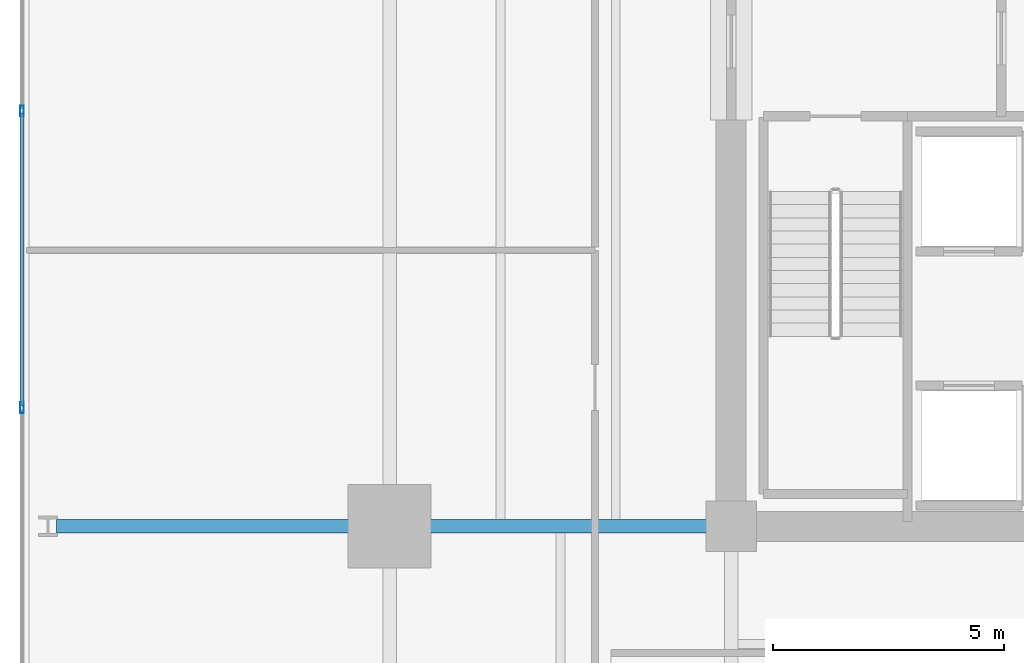
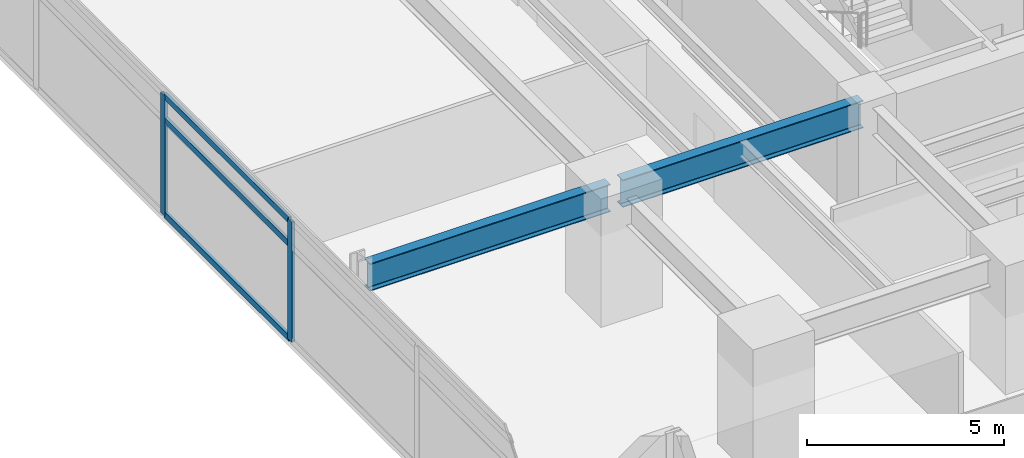
# One storey, part 4 of 23: 5 members, 2 beams, 1 element without a shape of its own.
"""IFC4 building model written with IfcOpenShell, lengths in metres."""

from ifc_helpers import new_model, si_unit, direction, frame, origin, origin_2d, place, context, subcontext, project, spatial, hollow_rectangle, i_section, extrude, material, material_profile, profile_set, type_object, element, aggregate, save


model = new_model("IFC4")

# Units and contexts
model_context = context("Model", 3, precision=1e-05, world=origin(), true_north=direction((0.0, 1.0)))
body_context = subcontext(model_context, "Body", "Model", "MODEL_VIEW")
ifc_project = project(units=[si_unit("LENGTHUNIT", "METRE"), si_unit("AREAUNIT", "SQUARE_METRE"), si_unit("VOLUMEUNIT", "CUBIC_METRE"), si_unit("PLANEANGLEUNIT", "RADIAN"), si_unit("MASSUNIT", "GRAM", prefix="KILO")], contexts=[model_context])

# Site, building, storey
site_placement = place(None, origin())
site = spatial("IfcSite", under=ifc_project, at=site_placement, CompositionType="ELEMENT")
building_placement = place(site_placement, origin())
building = spatial("IfcBuilding", under=site, at=building_placement, Name="Kovane Verandah Tower", CompositionType="ELEMENT")
storey_placement = place(building_placement, frame((0.0, 0.0, 91.60009765625)))
storey = spatial("IfcBuildingStorey", under=building, at=storey_placement, Name="L21", CompositionType="ELEMENT", Elevation=91.60009765625)

# Beams
ifc_material_1 = material(Name="Steel S355", Category="steel")
ifc_material_profile_1 = material_profile(ifc_material_1, i_section(OverallWidth=0.293701171875, OverallDepth=0.850830078125, WebThickness=0.01611328125, FlangeThickness=0.02685546875, FilletRadius=0.017822265625, at=origin_2d()), Name="UB838x292x226")
ifc_profile_set_1 = profile_set([ifc_material_profile_1], Name="Steel S355")
beam_type = type_object("IfcBeamType", Name="BM-UB838x226", PredefinedType="BEAM", material=ifc_profile_set_1)
for number, where, z_axis, x_axis, name in (
    (1, (28.820068359375, 18.5, 3.33447265625), (-1.0, 0.0, 0.0), (0.0, -1.0, 0.0), "L21 Primary Tower Girder G-W1"),
    (2, (21.419921875, 18.5, 3.33447265625), (-1.0, 0.0, 0.0), (0.0, -1.0, 0.0), "L21 Primary Tower Girder G-VW1"),
):
    element("IfcBeam", number, at=place(storey_placement, frame(where, z_axis=z_axis, x_axis=x_axis)), inside=storey, type_object=beam_type, Name=name, PredefinedType="BEAM", context=body_context, shape_type="SweptSolid", body=[
        extrude(i_section(OverallWidth=0.293701171875, OverallDepth=0.850830078125, WebThickness=0.01611328125, FlangeThickness=0.02685546875, FilletRadius=0.017822265625, at=origin_2d()), origin(), (0.0, 0.0, 1.0), 7.0400390625),
    ])

# Curtain wall, members
ifc_material_2 = material(Name="Champagne Anodised Aluminium Frame with Low-E Clear Laminated Glass", Category="aluminium")
curtain_wall_type = type_object("IfcCurtainWallType", Name="CW-SYS-02-LOW", PredefinedType="NOTDEFINED", material=ifc_material_2)
curtain_wall_placement = place(storey_placement, origin())
curtain_wall = element("IfcCurtainWall", 3, at=curtain_wall_placement, inside=storey, type_object=curtain_wall_type, Name="L21 W Unitised Curtain Wall", PredefinedType="NOTDEFINED")
ifc_material_3 = material(Name="Champagne Anodised Aluminium 6063-T6", Category="aluminium")
ifc_material_profile_2 = material_profile(ifc_material_3, hollow_rectangle(XDim=0.0849609375, YDim=0.22998046875, WallThickness=0.00390625, at=origin_2d()), Name="AL85x230x4")
ifc_profile_set_2 = profile_set([ifc_material_profile_2], Name="Champagne Anodised Aluminium 6063-T6")
member_type_1 = type_object("IfcMemberType", Name="CW-MUL-85x230", PredefinedType="MULLION", material=ifc_profile_set_2)
member_1_placement = place(storey_placement, frame((13.635986328125, 27.5, 0.02001953125), z_axis=(0.0, 0.0, 1.0), x_axis=(-1.0, 0.0, 0.0)))
member_1 = element("IfcMember", 4, at=member_1_placement, type_object=member_type_1, Name="L21 W Unitised Curtain Wall Mullion 4", PredefinedType="MULLION", context=body_context, shape_type="SweptSolid", body=[
    extrude(hollow_rectangle(XDim=0.0849609375, YDim=0.22998046875, WallThickness=0.00390625, at=origin_2d()), origin(), (0.0, 0.0, 1.0), 3.719970703125),
])
member_2_placement = place(storey_placement, frame((13.635986328125, 21.068359375, 0.02001953125), z_axis=(0.0, 0.0, 1.0), x_axis=(-1.0, 0.0, 0.0)))
member_2 = element("IfcMember", 5, at=member_2_placement, type_object=member_type_1, Name="L21 W Unitised Curtain Wall Mullion 5", PredefinedType="MULLION", context=body_context, shape_type="SweptSolid", body=[
    extrude(hollow_rectangle(XDim=0.0849609375, YDim=0.22998046875, WallThickness=0.00390625, at=origin_2d()), origin(), (0.0, 0.0, 1.0), 3.719970703125),
])
ifc_material_profile_3 = material_profile(ifc_material_3, hollow_rectangle(XDim=0.0849609375, YDim=0.18994140625, WallThickness=0.00390625, at=origin_2d()), Name="AL85x190x4")
ifc_profile_set_3 = profile_set([ifc_material_profile_3], Name="Champagne Anodised Aluminium 6063-T6")
member_type_2 = type_object("IfcMemberType", Name="CW-TRN-85x190", PredefinedType="USERDEFINED", material=ifc_profile_set_3)
member_3_placement = place(storey_placement, frame((13.635986328125, 27.449951171875, 0.0498046875), z_axis=(0.0, -1.0, 0.0), x_axis=(1.0, 0.0, 0.0)))
member_3 = element("IfcMember", 6, at=member_3_placement, type_object=member_type_2, Name="L21 W Unitised Curtain Wall Transom TB Bay 4", ObjectType="TRANSOM", PredefinedType="USERDEFINED", context=body_context, shape_type="SweptSolid", body=[
    extrude(hollow_rectangle(XDim=0.0849609375, YDim=0.18994140625, WallThickness=0.00390625, at=origin_2d()), origin(), (0.0, 0.0, 1.0), 6.33154296875),
])
member_4_placement = place(storey_placement, frame((13.635986328125, 27.449951171875, 2.97998046875), z_axis=(0.0, -1.0, 0.0), x_axis=(1.0, 0.0, 0.0)))
member_4 = element("IfcMember", 7, at=member_4_placement, type_object=member_type_2, Name="L21 W Unitised Curtain Wall Transom TM Bay 4", ObjectType="TRANSOM", PredefinedType="USERDEFINED", context=body_context, shape_type="SweptSolid", body=[
    extrude(hollow_rectangle(XDim=0.0849609375, YDim=0.18994140625, WallThickness=0.00390625, at=origin_2d()), origin(), (0.0, 0.0, 1.0), 6.33154296875),
])
member_5_placement = place(storey_placement, frame((13.635986328125, 27.449951171875, 3.7099609375), z_axis=(0.0, -1.0, 0.0), x_axis=(1.0, 0.0, 0.0)))
member_5 = element("IfcMember", 8, at=member_5_placement, type_object=member_type_2, Name="L21 W Unitised Curtain Wall Transom TT Bay 4", ObjectType="TRANSOM", PredefinedType="USERDEFINED", context=body_context, shape_type="SweptSolid", body=[
    extrude(hollow_rectangle(XDim=0.0849609375, YDim=0.18994140625, WallThickness=0.00390625, at=origin_2d()), origin(), (0.0, 0.0, 1.0), 6.33154296875),
])
aggregate(curtain_wall, [member_1, member_2, member_3, member_4, member_5])

save(model, "model.ifc")
